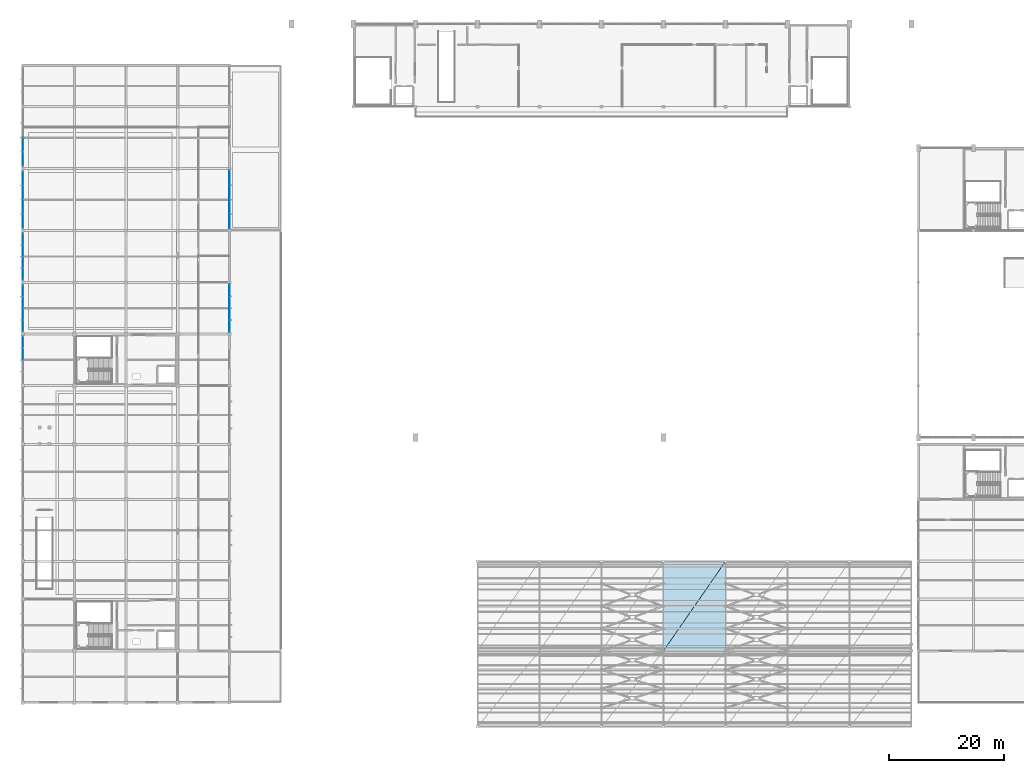
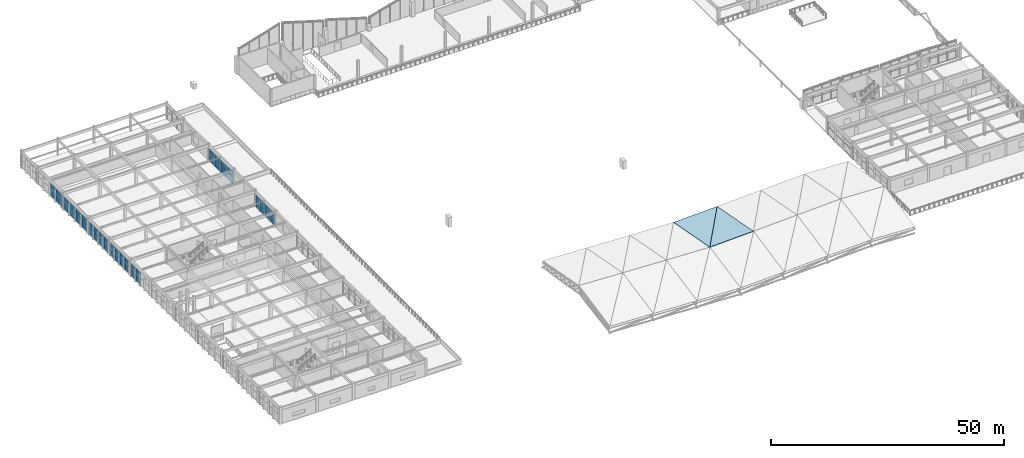
# One storey, part 58 of 89: 48 plates, 2 slabs, 7 elements without a shape of their own.
"""IFC4 building model written with IfcOpenShell, lengths in metres."""

from ifc_helpers import new_model, si_unit, direction, frame, origin, place, context, subcontext, project, spatial, polyline, outline, extrude, material, layer, layer_set, type_object, element, aggregate, save


model = new_model("IFC4")

# Units and contexts
model_context = context("Model", 3, precision=1e-05, world=origin(), true_north=direction((0.0, 1.0)))
body_context = subcontext(model_context, "Body", "Model", "MODEL_VIEW")
ifc_project = project(units=[si_unit("LENGTHUNIT", "METRE"), si_unit("AREAUNIT", "SQUARE_METRE"), si_unit("VOLUMEUNIT", "CUBIC_METRE"), si_unit("PLANEANGLEUNIT", "RADIAN"), si_unit("MASSUNIT", "GRAM", prefix="KILO")], contexts=[model_context])

# Site, building, storey
site_placement = place(None, origin())
site = spatial("IfcSite", under=ifc_project, at=site_placement, CompositionType="ELEMENT")
building_placement = place(site_placement, origin())
building = spatial("IfcBuilding", under=site, at=building_placement, Name="Suirenkawa Promenade Aquatics Centre", CompositionType="ELEMENT")
storey_placement = place(building_placement, frame((0.0, 0.0, 9.60009765625)))
storey = spatial("IfcBuildingStorey", under=building, at=storey_placement, Name="L02", CompositionType="ELEMENT", Elevation=9.60009765625)

# Curtain wall, plates
ifc_material_1 = material(Name="Anodised aluminium 6063-T6", Category="aluminium")
curtain_wall_type_1 = type_object("IfcCurtainWallType", Name="CWAT-V5EL02-61", PredefinedType="NOTDEFINED", material=ifc_material_1)
curtain_wall_1_placement = place(storey_placement, origin())
curtain_wall_1 = element("IfcCurtainWall", 1, at=curtain_wall_1_placement, inside=storey, type_object=curtain_wall_type_1, Name="Curtain wall CWA-61 CW-124", PredefinedType="NOTDEFINED")
ifc_material_2 = material(Name="Low-E thermally broken double glazing", Category="glass")
ifc_layer_1 = layer(ifc_material_2, 0.028076171875, Name="Low-E thermally broken double glazing", Category="glass")
ifc_layer_set_1 = layer_set([ifc_layer_1], Name="Low-E thermally broken double glazing")
plate_type_1 = type_object("IfcPlateType", Name="CWP-LOWE-28", PredefinedType="CURTAIN_PANEL", material=ifc_layer_set_1)
plate_1_placement = place(storey_placement, frame((36.0, 77.051025390625, 0.039794921875), z_axis=(0.0, 0.0, 1.0), x_axis=(0.0, -1.0, 0.0)))
plate_1 = element("IfcPlate", 2, at=plate_1_placement, type_object=plate_type_1, Name="Glazed panel CP-02 CWP-02516", PredefinedType="CURTAIN_PANEL", context=body_context, shape_type="SweptSolid", body=[
    extrude(outline(polyline([(0.0400390625, 0.0), (2.035400390625, 0.0), (2.035400390625, 1.8701171875), (0.0400390625, 1.8701171875), (0.0400390625, 0.0)])), frame((0.0, 0.01416015625, 0.0), z_axis=(0.0, -1.0, 0.0), x_axis=(1.0, 0.0, 0.0)), (0.0, 0.0, 1.0), 0.028076171875),
])
plate_2_placement = place(storey_placement, frame((36.0, 77.051025390625, 1.989990234375), z_axis=(0.0, 0.0, 1.0), x_axis=(0.0, -1.0, 0.0)))
plate_2 = element("IfcPlate", 3, at=plate_2_placement, type_object=plate_type_1, Name="Top glazed panel CP-02 CWP-02517", PredefinedType="CURTAIN_PANEL", context=body_context, shape_type="SweptSolid", body=[
    extrude(outline(polyline([(0.0400390625, 0.0), (2.035400390625, 0.0), (2.035400390625, 1.33984375), (0.0400390625, 1.33984375), (0.0400390625, 0.0)])), frame((0.0, 0.01416015625, 0.0), z_axis=(0.0, -1.0, 0.0), x_axis=(1.0, 0.0, 0.0)), (0.0, 0.0, 1.0), 0.028076171875),
])
plate_3_placement = place(storey_placement, frame((36.0, 74.9755859375, 0.039794921875), z_axis=(0.0, 0.0, 1.0), x_axis=(0.0, -1.0, 0.0)))
plate_3 = element("IfcPlate", 4, at=plate_3_placement, type_object=plate_type_1, Name="Glazed panel CP-02 CWP-02518", PredefinedType="CURTAIN_PANEL", context=body_context, shape_type="SweptSolid", body=[
    extrude(outline(polyline([(0.0400390625, 0.0), (2.035400390625, 0.0), (2.035400390625, 1.8701171875), (0.0400390625, 1.8701171875), (0.0400390625, 0.0)])), frame((0.0, 0.01416015625, 0.0), z_axis=(0.0, -1.0, 0.0), x_axis=(1.0, 0.0, 0.0)), (0.0, 0.0, 1.0), 0.028076171875),
])
plate_4_placement = place(storey_placement, frame((36.0, 74.9755859375, 1.989990234375), z_axis=(0.0, 0.0, 1.0), x_axis=(0.0, -1.0, 0.0)))
plate_4 = element("IfcPlate", 5, at=plate_4_placement, type_object=plate_type_1, Name="Top glazed panel CP-02 CWP-02519", PredefinedType="CURTAIN_PANEL", context=body_context, shape_type="SweptSolid", body=[
    extrude(outline(polyline([(0.0400390625, 0.0), (2.035400390625, 0.0), (2.035400390625, 1.33984375), (0.0400390625, 1.33984375), (0.0400390625, 0.0)])), frame((0.0, 0.01416015625, 0.0), z_axis=(0.0, -1.0, 0.0), x_axis=(1.0, 0.0, 0.0)), (0.0, 0.0, 1.0), 0.028076171875),
])
plate_5_placement = place(storey_placement, frame((36.0, 72.89990234375, 0.039794921875), z_axis=(0.0, 0.0, 1.0), x_axis=(0.0, -1.0, 0.0)))
plate_5 = element("IfcPlate", 6, at=plate_5_placement, type_object=plate_type_1, Name="Glazed panel CP-02 CWP-02520", PredefinedType="CURTAIN_PANEL", context=body_context, shape_type="SweptSolid", body=[
    extrude(outline(polyline([(0.0400390625, 0.0), (2.035400390625, 0.0), (2.035400390625, 1.8701171875), (0.0400390625, 1.8701171875), (0.0400390625, 0.0)])), frame((0.0, 0.01416015625, 0.0), z_axis=(0.0, -1.0, 0.0), x_axis=(1.0, 0.0, 0.0)), (0.0, 0.0, 1.0), 0.028076171875),
])
plate_6_placement = place(storey_placement, frame((36.0, 72.89990234375, 1.989990234375), z_axis=(0.0, 0.0, 1.0), x_axis=(0.0, -1.0, 0.0)))
plate_6 = element("IfcPlate", 7, at=plate_6_placement, type_object=plate_type_1, Name="Top glazed panel CP-02 CWP-02521", PredefinedType="CURTAIN_PANEL", context=body_context, shape_type="SweptSolid", body=[
    extrude(outline(polyline([(0.0400390625, 0.0), (2.035400390625, 0.0), (2.035400390625, 1.33984375), (0.0400390625, 1.33984375), (0.0400390625, 0.0)])), frame((0.0, 0.01416015625, 0.0), z_axis=(0.0, -1.0, 0.0), x_axis=(1.0, 0.0, 0.0)), (0.0, 0.0, 1.0), 0.028076171875),
])
plate_7_placement = place(storey_placement, frame((36.0, 70.824462890625, 0.039794921875), z_axis=(0.0, 0.0, 1.0), x_axis=(0.0, -1.0, 0.0)))
plate_7 = element("IfcPlate", 8, at=plate_7_placement, type_object=plate_type_1, Name="Glazed panel CP-02 CWP-02522", PredefinedType="CURTAIN_PANEL", context=body_context, shape_type="SweptSolid", body=[
    extrude(outline(polyline([(0.0400390625, 0.0), (2.035400390625, 0.0), (2.035400390625, 1.8701171875), (0.0400390625, 1.8701171875), (0.0400390625, 0.0)])), frame((0.0, 0.01416015625, 0.0), z_axis=(0.0, -1.0, 0.0), x_axis=(1.0, 0.0, 0.0)), (0.0, 0.0, 1.0), 0.028076171875),
])
plate_8_placement = place(storey_placement, frame((36.0, 70.824462890625, 1.989990234375), z_axis=(0.0, 0.0, 1.0), x_axis=(0.0, -1.0, 0.0)))
plate_8 = element("IfcPlate", 9, at=plate_8_placement, type_object=plate_type_1, Name="Top glazed panel CP-02 CWP-02523", PredefinedType="CURTAIN_PANEL", context=body_context, shape_type="SweptSolid", body=[
    extrude(outline(polyline([(0.0400390625, 0.0), (2.035400390625, 0.0), (2.035400390625, 1.33984375), (0.0400390625, 1.33984375), (0.0400390625, 0.0)])), frame((0.0, 0.01416015625, 0.0), z_axis=(0.0, -1.0, 0.0), x_axis=(1.0, 0.0, 0.0)), (0.0, 0.0, 1.0), 0.028076171875),
])
aggregate(curtain_wall_1, [plate_1, plate_2, plate_3, plate_4, plate_5, plate_6, plate_7, plate_8])

curtain_wall_type_2 = type_object("IfcCurtainWallType", Name="CWAT-V5EL02-64", PredefinedType="NOTDEFINED", material=ifc_material_1)
curtain_wall_2_placement = place(storey_placement, origin())
curtain_wall_2 = element("IfcCurtainWall", 10, at=curtain_wall_2_placement, inside=storey, type_object=curtain_wall_type_2, Name="Curtain wall CWA-64 CW-127", PredefinedType="NOTDEFINED")
plate_9_placement = place(storey_placement, frame((36.0, 96.85107421875, 0.039794921875), z_axis=(0.0, 0.0, 1.0), x_axis=(0.0, -1.0, 0.0)))
plate_9 = element("IfcPlate", 11, at=plate_9_placement, type_object=plate_type_1, Name="Glazed panel CP-02 CWP-02582", PredefinedType="CURTAIN_PANEL", context=body_context, shape_type="SweptSolid", body=[
    extrude(outline(polyline([(0.0400390625, 0.0), (2.485595703125, 0.0), (2.485595703125, 1.8701171875), (0.0400390625, 1.8701171875), (0.0400390625, 0.0)])), frame((0.0, 0.01416015625, 0.0), z_axis=(0.0, -1.0, 0.0), x_axis=(1.0, 0.0, 0.0)), (0.0, 0.0, 1.0), 0.028076171875),
])
plate_10_placement = place(storey_placement, frame((36.0, 96.85107421875, 1.989990234375), z_axis=(0.0, 0.0, 1.0), x_axis=(0.0, -1.0, 0.0)))
plate_10 = element("IfcPlate", 12, at=plate_10_placement, type_object=plate_type_1, Name="Top glazed panel CP-02 CWP-02583", PredefinedType="CURTAIN_PANEL", context=body_context, shape_type="SweptSolid", body=[
    extrude(outline(polyline([(0.0400390625, 0.0), (2.485595703125, 0.0), (2.485595703125, 1.33984375), (0.0400390625, 1.33984375), (0.0400390625, 0.0)])), frame((0.0, 0.01416015625, 0.0), z_axis=(0.0, -1.0, 0.0), x_axis=(1.0, 0.0, 0.0)), (0.0, 0.0, 1.0), 0.028076171875),
])
plate_11_placement = place(storey_placement, frame((36.0, 94.325439453125, 0.039794921875), z_axis=(0.0, 0.0, 1.0), x_axis=(0.0, -1.0, 0.0)))
plate_11 = element("IfcPlate", 13, at=plate_11_placement, type_object=plate_type_1, Name="Glazed panel CP-02 CWP-02584", PredefinedType="CURTAIN_PANEL", context=body_context, shape_type="SweptSolid", body=[
    extrude(outline(polyline([(0.0400390625, 0.0), (2.485595703125, 0.0), (2.485595703125, 1.8701171875), (0.0400390625, 1.8701171875), (0.0400390625, 0.0)])), frame((0.0, 0.01416015625, 0.0), z_axis=(0.0, -1.0, 0.0), x_axis=(1.0, 0.0, 0.0)), (0.0, 0.0, 1.0), 0.028076171875),
])
plate_12_placement = place(storey_placement, frame((36.0, 94.325439453125, 1.989990234375), z_axis=(0.0, 0.0, 1.0), x_axis=(0.0, -1.0, 0.0)))
plate_12 = element("IfcPlate", 14, at=plate_12_placement, type_object=plate_type_1, Name="Top glazed panel CP-02 CWP-02585", PredefinedType="CURTAIN_PANEL", context=body_context, shape_type="SweptSolid", body=[
    extrude(outline(polyline([(0.0400390625, 0.0), (2.485595703125, 0.0), (2.485595703125, 1.33984375), (0.0400390625, 1.33984375), (0.0400390625, 0.0)])), frame((0.0, 0.01416015625, 0.0), z_axis=(0.0, -1.0, 0.0), x_axis=(1.0, 0.0, 0.0)), (0.0, 0.0, 1.0), 0.028076171875),
])
plate_13_placement = place(storey_placement, frame((36.0, 91.800048828125, 0.039794921875), z_axis=(0.0, 0.0, 1.0), x_axis=(0.0, -1.0, 0.0)))
plate_13 = element("IfcPlate", 15, at=plate_13_placement, type_object=plate_type_1, Name="Glazed panel CP-02 CWP-02586", PredefinedType="CURTAIN_PANEL", context=body_context, shape_type="SweptSolid", body=[
    extrude(outline(polyline([(0.0400390625, 0.0), (2.485595703125, 0.0), (2.485595703125, 1.8701171875), (0.0400390625, 1.8701171875), (0.0400390625, 0.0)])), frame((0.0, 0.01416015625, 0.0), z_axis=(0.0, -1.0, 0.0), x_axis=(1.0, 0.0, 0.0)), (0.0, 0.0, 1.0), 0.028076171875),
])
plate_14_placement = place(storey_placement, frame((36.0, 91.800048828125, 1.989990234375), z_axis=(0.0, 0.0, 1.0), x_axis=(0.0, -1.0, 0.0)))
plate_14 = element("IfcPlate", 16, at=plate_14_placement, type_object=plate_type_1, Name="Top glazed panel CP-02 CWP-02587", PredefinedType="CURTAIN_PANEL", context=body_context, shape_type="SweptSolid", body=[
    extrude(outline(polyline([(0.0400390625, 0.0), (2.485595703125, 0.0), (2.485595703125, 1.33984375), (0.0400390625, 1.33984375), (0.0400390625, 0.0)])), frame((0.0, 0.01416015625, 0.0), z_axis=(0.0, -1.0, 0.0), x_axis=(1.0, 0.0, 0.0)), (0.0, 0.0, 1.0), 0.028076171875),
])
plate_15_placement = place(storey_placement, frame((36.0, 89.2744140625, 0.039794921875), z_axis=(0.0, 0.0, 1.0), x_axis=(0.0, -1.0, 0.0)))
plate_15 = element("IfcPlate", 17, at=plate_15_placement, type_object=plate_type_1, Name="Glazed panel CP-02 CWP-02588", PredefinedType="CURTAIN_PANEL", context=body_context, shape_type="SweptSolid", body=[
    extrude(outline(polyline([(0.0400390625, 0.0), (2.485595703125, 0.0), (2.485595703125, 1.8701171875), (0.0400390625, 1.8701171875), (0.0400390625, 0.0)])), frame((0.0, 0.01416015625, 0.0), z_axis=(0.0, -1.0, 0.0), x_axis=(1.0, 0.0, 0.0)), (0.0, 0.0, 1.0), 0.028076171875),
])
plate_16_placement = place(storey_placement, frame((36.0, 89.2744140625, 1.989990234375), z_axis=(0.0, 0.0, 1.0), x_axis=(0.0, -1.0, 0.0)))
plate_16 = element("IfcPlate", 18, at=plate_16_placement, type_object=plate_type_1, Name="Top glazed panel CP-02 CWP-02589", PredefinedType="CURTAIN_PANEL", context=body_context, shape_type="SweptSolid", body=[
    extrude(outline(polyline([(0.0400390625, 0.0), (2.485595703125, 0.0), (2.485595703125, 1.33984375), (0.0400390625, 1.33984375), (0.0400390625, 0.0)])), frame((0.0, 0.01416015625, 0.0), z_axis=(0.0, -1.0, 0.0), x_axis=(1.0, 0.0, 0.0)), (0.0, 0.0, 1.0), 0.028076171875),
])
aggregate(curtain_wall_2, [plate_9, plate_10, plate_11, plate_12, plate_13, plate_14, plate_15, plate_16])

curtain_wall_type_3 = type_object("IfcCurtainWallType", Name="CWAT-V5WL02-60", PredefinedType="NOTDEFINED", material=ifc_material_1)
curtain_wall_3_placement = place(storey_placement, origin())
curtain_wall_3 = element("IfcCurtainWall", 19, at=curtain_wall_3_placement, inside=storey, type_object=curtain_wall_type_3, Name="Curtain wall CWA-60 CW-122", PredefinedType="NOTDEFINED")
ifc_material_3 = material(Name="Ceramic-fritted low-SHGC double glazing", Category="glass")
ifc_layer_2 = layer(ifc_material_3, 0.035888671875, Name="Ceramic-fritted low-SHGC double glazing", Category="glass")
ifc_layer_set_2 = layer_set([ifc_layer_2], Name="Ceramic-fritted low-SHGC double glazing")
plate_type_2 = type_object("IfcPlateType", Name="CWP-SHOJI-36", PredefinedType="CURTAIN_PANEL", material=ifc_layer_set_2)
plate_17_placement = place(storey_placement, frame((0.0, 63.89990234375, 0.039794921875), z_axis=(0.0, 0.0, 1.0), x_axis=(0.0, 1.0, 0.0)))
plate_17 = element("IfcPlate", 20, at=plate_17_placement, type_object=plate_type_2, Name="Glazed panel CP-01 CWP-02476", PredefinedType="CURTAIN_PANEL", context=body_context, shape_type="SweptSolid", body=[
    extrude(outline(polyline([(0.0400390625, 0.0), (1.985595703125, 0.0), (1.985595703125, 1.8701171875), (0.0400390625, 1.8701171875), (0.0400390625, 0.0)])), frame((0.0, 0.01806640625, 0.0), z_axis=(0.0, -1.0, 0.0), x_axis=(1.0, 0.0, 0.0)), (0.0, 0.0, 1.0), 0.035888671875),
])
plate_18_placement = place(storey_placement, frame((0.0, 63.89990234375, 1.989990234375), z_axis=(0.0, 0.0, 1.0), x_axis=(0.0, 1.0, 0.0)))
plate_18 = element("IfcPlate", 21, at=plate_18_placement, type_object=plate_type_2, Name="Top glazed panel CP-01 CWP-02477", PredefinedType="CURTAIN_PANEL", context=body_context, shape_type="SweptSolid", body=[
    extrude(outline(polyline([(0.0400390625, 0.0), (1.985595703125, 0.0), (1.985595703125, 1.33984375), (0.0400390625, 1.33984375), (0.0400390625, 0.0)])), frame((0.0, 0.01806640625, 0.0), z_axis=(0.0, -1.0, 0.0), x_axis=(1.0, 0.0, 0.0)), (0.0, 0.0, 1.0), 0.035888671875),
])
plate_19_placement = place(storey_placement, frame((0.0, 65.925537109375, 0.039794921875), z_axis=(0.0, 0.0, 1.0), x_axis=(0.0, 1.0, 0.0)))
plate_19 = element("IfcPlate", 22, at=plate_19_placement, type_object=plate_type_2, Name="Glazed panel CP-01 CWP-02478", PredefinedType="CURTAIN_PANEL", context=body_context, shape_type="SweptSolid", body=[
    extrude(outline(polyline([(0.0400390625, 0.0), (1.985595703125, 0.0), (1.985595703125, 1.8701171875), (0.0400390625, 1.8701171875), (0.0400390625, 0.0)])), frame((0.0, 0.01806640625, 0.0), z_axis=(0.0, -1.0, 0.0), x_axis=(1.0, 0.0, 0.0)), (0.0, 0.0, 1.0), 0.035888671875),
])
plate_20_placement = place(storey_placement, frame((0.0, 65.925537109375, 1.989990234375), z_axis=(0.0, 0.0, 1.0), x_axis=(0.0, 1.0, 0.0)))
plate_20 = element("IfcPlate", 23, at=plate_20_placement, type_object=plate_type_2, Name="Top glazed panel CP-01 CWP-02479", PredefinedType="CURTAIN_PANEL", context=body_context, shape_type="SweptSolid", body=[
    extrude(outline(polyline([(0.0400390625, 0.0), (1.985595703125, 0.0), (1.985595703125, 1.33984375), (0.0400390625, 1.33984375), (0.0400390625, 0.0)])), frame((0.0, 0.01806640625, 0.0), z_axis=(0.0, -1.0, 0.0), x_axis=(1.0, 0.0, 0.0)), (0.0, 0.0, 1.0), 0.035888671875),
])
aggregate(curtain_wall_3, [plate_17, plate_18, plate_19, plate_20])

curtain_wall_4_placement = place(storey_placement, origin())
curtain_wall_4 = element("IfcCurtainWall", 24, at=curtain_wall_4_placement, inside=storey, type_object=curtain_wall_type_3, Name="Curtain wall CWA-60 CW-123", PredefinedType="NOTDEFINED")
plate_21_placement = place(storey_placement, frame((0.0, 68.84912109375, 0.039794921875), z_axis=(0.0, 0.0, 1.0), x_axis=(0.0, 1.0, 0.0)))
plate_21 = element("IfcPlate", 25, at=plate_21_placement, type_object=plate_type_2, Name="Glazed panel CP-01 CWP-02494", PredefinedType="CURTAIN_PANEL", context=body_context, shape_type="SweptSolid", body=[
    extrude(outline(polyline([(0.0400390625, 0.0), (1.985595703125, 0.0), (1.985595703125, 1.8701171875), (0.0400390625, 1.8701171875), (0.0400390625, 0.0)])), frame((0.0, 0.01806640625, 0.0), z_axis=(0.0, -1.0, 0.0), x_axis=(1.0, 0.0, 0.0)), (0.0, 0.0, 1.0), 0.035888671875),
])
plate_22_placement = place(storey_placement, frame((0.0, 68.84912109375, 1.989990234375), z_axis=(0.0, 0.0, 1.0), x_axis=(0.0, 1.0, 0.0)))
plate_22 = element("IfcPlate", 26, at=plate_22_placement, type_object=plate_type_2, Name="Top glazed panel CP-01 CWP-02495", PredefinedType="CURTAIN_PANEL", context=body_context, shape_type="SweptSolid", body=[
    extrude(outline(polyline([(0.0400390625, 0.0), (1.985595703125, 0.0), (1.985595703125, 1.33984375), (0.0400390625, 1.33984375), (0.0400390625, 0.0)])), frame((0.0, 0.01806640625, 0.0), z_axis=(0.0, -1.0, 0.0), x_axis=(1.0, 0.0, 0.0)), (0.0, 0.0, 1.0), 0.035888671875),
])
plate_23_placement = place(storey_placement, frame((0.0, 70.87451171875, 0.039794921875), z_axis=(0.0, 0.0, 1.0), x_axis=(0.0, 1.0, 0.0)))
plate_23 = element("IfcPlate", 27, at=plate_23_placement, type_object=plate_type_2, Name="Glazed panel CP-01 CWP-02496", PredefinedType="CURTAIN_PANEL", context=body_context, shape_type="SweptSolid", body=[
    extrude(outline(polyline([(0.0400390625, 0.0), (1.985595703125, 0.0), (1.985595703125, 1.8701171875), (0.0400390625, 1.8701171875), (0.0400390625, 0.0)])), frame((0.0, 0.01806640625, 0.0), z_axis=(0.0, -1.0, 0.0), x_axis=(1.0, 0.0, 0.0)), (0.0, 0.0, 1.0), 0.035888671875),
])
plate_24_placement = place(storey_placement, frame((0.0, 70.87451171875, 1.989990234375), z_axis=(0.0, 0.0, 1.0), x_axis=(0.0, 1.0, 0.0)))
plate_24 = element("IfcPlate", 28, at=plate_24_placement, type_object=plate_type_2, Name="Top glazed panel CP-01 CWP-02497", PredefinedType="CURTAIN_PANEL", context=body_context, shape_type="SweptSolid", body=[
    extrude(outline(polyline([(0.0400390625, 0.0), (1.985595703125, 0.0), (1.985595703125, 1.33984375), (0.0400390625, 1.33984375), (0.0400390625, 0.0)])), frame((0.0, 0.01806640625, 0.0), z_axis=(0.0, -1.0, 0.0), x_axis=(1.0, 0.0, 0.0)), (0.0, 0.0, 1.0), 0.035888671875),
])
plate_25_placement = place(storey_placement, frame((0.0, 72.89990234375, 0.039794921875), z_axis=(0.0, 0.0, 1.0), x_axis=(0.0, 1.0, 0.0)))
plate_25 = element("IfcPlate", 29, at=plate_25_placement, type_object=plate_type_2, Name="Glazed panel CP-01 CWP-02498", PredefinedType="CURTAIN_PANEL", context=body_context, shape_type="SweptSolid", body=[
    extrude(outline(polyline([(0.0400390625, 0.0), (1.985595703125, 0.0), (1.985595703125, 1.8701171875), (0.0400390625, 1.8701171875), (0.0400390625, 0.0)])), frame((0.0, 0.01806640625, 0.0), z_axis=(0.0, -1.0, 0.0), x_axis=(1.0, 0.0, 0.0)), (0.0, 0.0, 1.0), 0.035888671875),
])
plate_26_placement = place(storey_placement, frame((0.0, 72.89990234375, 1.989990234375), z_axis=(0.0, 0.0, 1.0), x_axis=(0.0, 1.0, 0.0)))
plate_26 = element("IfcPlate", 30, at=plate_26_placement, type_object=plate_type_2, Name="Top glazed panel CP-01 CWP-02499", PredefinedType="CURTAIN_PANEL", context=body_context, shape_type="SweptSolid", body=[
    extrude(outline(polyline([(0.0400390625, 0.0), (1.985595703125, 0.0), (1.985595703125, 1.33984375), (0.0400390625, 1.33984375), (0.0400390625, 0.0)])), frame((0.0, 0.01806640625, 0.0), z_axis=(0.0, -1.0, 0.0), x_axis=(1.0, 0.0, 0.0)), (0.0, 0.0, 1.0), 0.035888671875),
])
plate_27_placement = place(storey_placement, frame((0.0, 74.925537109375, 0.039794921875), z_axis=(0.0, 0.0, 1.0), x_axis=(0.0, 1.0, 0.0)))
plate_27 = element("IfcPlate", 31, at=plate_27_placement, type_object=plate_type_2, Name="Glazed panel CP-01 CWP-02500", PredefinedType="CURTAIN_PANEL", context=body_context, shape_type="SweptSolid", body=[
    extrude(outline(polyline([(0.0400390625, 0.0), (1.985595703125, 0.0), (1.985595703125, 1.8701171875), (0.0400390625, 1.8701171875), (0.0400390625, 0.0)])), frame((0.0, 0.01806640625, 0.0), z_axis=(0.0, -1.0, 0.0), x_axis=(1.0, 0.0, 0.0)), (0.0, 0.0, 1.0), 0.035888671875),
])
plate_28_placement = place(storey_placement, frame((0.0, 74.925537109375, 1.989990234375), z_axis=(0.0, 0.0, 1.0), x_axis=(0.0, 1.0, 0.0)))
plate_28 = element("IfcPlate", 32, at=plate_28_placement, type_object=plate_type_2, Name="Top glazed panel CP-01 CWP-02501", PredefinedType="CURTAIN_PANEL", context=body_context, shape_type="SweptSolid", body=[
    extrude(outline(polyline([(0.0400390625, 0.0), (1.985595703125, 0.0), (1.985595703125, 1.33984375), (0.0400390625, 1.33984375), (0.0400390625, 0.0)])), frame((0.0, 0.01806640625, 0.0), z_axis=(0.0, -1.0, 0.0), x_axis=(1.0, 0.0, 0.0)), (0.0, 0.0, 1.0), 0.035888671875),
])
aggregate(curtain_wall_4, [plate_21, plate_22, plate_23, plate_24, plate_25, plate_26, plate_27, plate_28])

curtain_wall_5_placement = place(storey_placement, origin())
curtain_wall_5 = element("IfcCurtainWall", 33, at=curtain_wall_5_placement, inside=storey, type_object=curtain_wall_type_3, Name="Curtain wall CWA-60 CW-125", PredefinedType="NOTDEFINED")
plate_29_placement = place(storey_placement, frame((0.0, 77.84912109375, 0.039794921875), z_axis=(0.0, 0.0, 1.0), x_axis=(0.0, 1.0, 0.0)))
plate_29 = element("IfcPlate", 34, at=plate_29_placement, type_object=plate_type_2, Name="Glazed panel CP-01 CWP-02538", PredefinedType="CURTAIN_PANEL", context=body_context, shape_type="SweptSolid", body=[
    extrude(outline(polyline([(0.0400390625, 0.0), (1.985595703125, 0.0), (1.985595703125, 1.8701171875), (0.0400390625, 1.8701171875), (0.0400390625, 0.0)])), frame((0.0, 0.01806640625, 0.0), z_axis=(0.0, -1.0, 0.0), x_axis=(1.0, 0.0, 0.0)), (0.0, 0.0, 1.0), 0.035888671875),
])
plate_30_placement = place(storey_placement, frame((0.0, 77.84912109375, 1.989990234375), z_axis=(0.0, 0.0, 1.0), x_axis=(0.0, 1.0, 0.0)))
plate_30 = element("IfcPlate", 35, at=plate_30_placement, type_object=plate_type_2, Name="Top glazed panel CP-01 CWP-02539", PredefinedType="CURTAIN_PANEL", context=body_context, shape_type="SweptSolid", body=[
    extrude(outline(polyline([(0.0400390625, 0.0), (1.985595703125, 0.0), (1.985595703125, 1.33984375), (0.0400390625, 1.33984375), (0.0400390625, 0.0)])), frame((0.0, 0.01806640625, 0.0), z_axis=(0.0, -1.0, 0.0), x_axis=(1.0, 0.0, 0.0)), (0.0, 0.0, 1.0), 0.035888671875),
])
plate_31_placement = place(storey_placement, frame((0.0, 79.87451171875, 0.039794921875), z_axis=(0.0, 0.0, 1.0), x_axis=(0.0, 1.0, 0.0)))
plate_31 = element("IfcPlate", 36, at=plate_31_placement, type_object=plate_type_2, Name="Glazed panel CP-01 CWP-02540", PredefinedType="CURTAIN_PANEL", context=body_context, shape_type="SweptSolid", body=[
    extrude(outline(polyline([(0.0400390625, 0.0), (1.985595703125, 0.0), (1.985595703125, 1.8701171875), (0.0400390625, 1.8701171875), (0.0400390625, 0.0)])), frame((0.0, 0.01806640625, 0.0), z_axis=(0.0, -1.0, 0.0), x_axis=(1.0, 0.0, 0.0)), (0.0, 0.0, 1.0), 0.035888671875),
])
plate_32_placement = place(storey_placement, frame((0.0, 79.87451171875, 1.989990234375), z_axis=(0.0, 0.0, 1.0), x_axis=(0.0, 1.0, 0.0)))
plate_32 = element("IfcPlate", 37, at=plate_32_placement, type_object=plate_type_2, Name="Top glazed panel CP-01 CWP-02541", PredefinedType="CURTAIN_PANEL", context=body_context, shape_type="SweptSolid", body=[
    extrude(outline(polyline([(0.0400390625, 0.0), (1.985595703125, 0.0), (1.985595703125, 1.33984375), (0.0400390625, 1.33984375), (0.0400390625, 0.0)])), frame((0.0, 0.01806640625, 0.0), z_axis=(0.0, -1.0, 0.0), x_axis=(1.0, 0.0, 0.0)), (0.0, 0.0, 1.0), 0.035888671875),
])
plate_33_placement = place(storey_placement, frame((0.0, 81.89990234375, 0.039794921875), z_axis=(0.0, 0.0, 1.0), x_axis=(0.0, 1.0, 0.0)))
plate_33 = element("IfcPlate", 38, at=plate_33_placement, type_object=plate_type_2, Name="Glazed panel CP-01 CWP-02542", PredefinedType="CURTAIN_PANEL", context=body_context, shape_type="SweptSolid", body=[
    extrude(outline(polyline([(0.0400390625, 0.0), (1.985595703125, 0.0), (1.985595703125, 1.8701171875), (0.0400390625, 1.8701171875), (0.0400390625, 0.0)])), frame((0.0, 0.01806640625, 0.0), z_axis=(0.0, -1.0, 0.0), x_axis=(1.0, 0.0, 0.0)), (0.0, 0.0, 1.0), 0.035888671875),
])
plate_34_placement = place(storey_placement, frame((0.0, 81.89990234375, 1.989990234375), z_axis=(0.0, 0.0, 1.0), x_axis=(0.0, 1.0, 0.0)))
plate_34 = element("IfcPlate", 39, at=plate_34_placement, type_object=plate_type_2, Name="Top glazed panel CP-01 CWP-02543", PredefinedType="CURTAIN_PANEL", context=body_context, shape_type="SweptSolid", body=[
    extrude(outline(polyline([(0.0400390625, 0.0), (1.985595703125, 0.0), (1.985595703125, 1.33984375), (0.0400390625, 1.33984375), (0.0400390625, 0.0)])), frame((0.0, 0.01806640625, 0.0), z_axis=(0.0, -1.0, 0.0), x_axis=(1.0, 0.0, 0.0)), (0.0, 0.0, 1.0), 0.035888671875),
])
plate_35_placement = place(storey_placement, frame((0.0, 83.925537109375, 0.039794921875), z_axis=(0.0, 0.0, 1.0), x_axis=(0.0, 1.0, 0.0)))
plate_35 = element("IfcPlate", 40, at=plate_35_placement, type_object=plate_type_2, Name="Glazed panel CP-01 CWP-02544", PredefinedType="CURTAIN_PANEL", context=body_context, shape_type="SweptSolid", body=[
    extrude(outline(polyline([(0.0400390625, 0.0), (1.985595703125, 0.0), (1.985595703125, 1.8701171875), (0.0400390625, 1.8701171875), (0.0400390625, 0.0)])), frame((0.0, 0.01806640625, 0.0), z_axis=(0.0, -1.0, 0.0), x_axis=(1.0, 0.0, 0.0)), (0.0, 0.0, 1.0), 0.035888671875),
])
plate_36_placement = place(storey_placement, frame((0.0, 83.925537109375, 1.989990234375), z_axis=(0.0, 0.0, 1.0), x_axis=(0.0, 1.0, 0.0)))
plate_36 = element("IfcPlate", 41, at=plate_36_placement, type_object=plate_type_2, Name="Top glazed panel CP-01 CWP-02545", PredefinedType="CURTAIN_PANEL", context=body_context, shape_type="SweptSolid", body=[
    extrude(outline(polyline([(0.0400390625, 0.0), (1.985595703125, 0.0), (1.985595703125, 1.33984375), (0.0400390625, 1.33984375), (0.0400390625, 0.0)])), frame((0.0, 0.01806640625, 0.0), z_axis=(0.0, -1.0, 0.0), x_axis=(1.0, 0.0, 0.0)), (0.0, 0.0, 1.0), 0.035888671875),
])
aggregate(curtain_wall_5, [plate_29, plate_30, plate_31, plate_32, plate_33, plate_34, plate_35, plate_36])

curtain_wall_type_4 = type_object("IfcCurtainWallType", Name="CWAT-V5WL02-63", PredefinedType="NOTDEFINED", material=ifc_material_1)
curtain_wall_6_placement = place(storey_placement, origin())
curtain_wall_6 = element("IfcCurtainWall", 42, at=curtain_wall_6_placement, inside=storey, type_object=curtain_wall_type_4, Name="Curtain wall CWA-63 CW-126", PredefinedType="NOTDEFINED")
plate_37_placement = place(storey_placement, frame((0.0, 86.84912109375, 0.039794921875), z_axis=(0.0, 0.0, 1.0), x_axis=(0.0, 1.0, 0.0)))
plate_37 = element("IfcPlate", 43, at=plate_37_placement, type_object=plate_type_2, Name="Glazed panel CP-01 CWP-02560", PredefinedType="CURTAIN_PANEL", context=body_context, shape_type="SweptSolid", body=[
    extrude(outline(polyline([(0.0400390625, 0.0), (2.435546875, 0.0), (2.435546875, 1.8701171875), (0.0400390625, 1.8701171875), (0.0400390625, 0.0)])), frame((0.0, 0.01806640625, 0.0), z_axis=(0.0, -1.0, 0.0), x_axis=(1.0, 0.0, 0.0)), (0.0, 0.0, 1.0), 0.035888671875),
])
plate_38_placement = place(storey_placement, frame((0.0, 86.84912109375, 1.989990234375), z_axis=(0.0, 0.0, 1.0), x_axis=(0.0, 1.0, 0.0)))
plate_38 = element("IfcPlate", 44, at=plate_38_placement, type_object=plate_type_2, Name="Top glazed panel CP-01 CWP-02561", PredefinedType="CURTAIN_PANEL", context=body_context, shape_type="SweptSolid", body=[
    extrude(outline(polyline([(0.0400390625, 0.0), (2.435546875, 0.0), (2.435546875, 1.33984375), (0.0400390625, 1.33984375), (0.0400390625, 0.0)])), frame((0.0, 0.01806640625, 0.0), z_axis=(0.0, -1.0, 0.0), x_axis=(1.0, 0.0, 0.0)), (0.0, 0.0, 1.0), 0.035888671875),
])
plate_39_placement = place(storey_placement, frame((0.0, 89.324462890625, 0.039794921875), z_axis=(0.0, 0.0, 1.0), x_axis=(0.0, 1.0, 0.0)))
plate_39 = element("IfcPlate", 45, at=plate_39_placement, type_object=plate_type_2, Name="Glazed panel CP-01 CWP-02562", PredefinedType="CURTAIN_PANEL", context=body_context, shape_type="SweptSolid", body=[
    extrude(outline(polyline([(0.0400390625, 0.0), (2.435546875, 0.0), (2.435546875, 1.8701171875), (0.0400390625, 1.8701171875), (0.0400390625, 0.0)])), frame((0.0, 0.01806640625, 0.0), z_axis=(0.0, -1.0, 0.0), x_axis=(1.0, 0.0, 0.0)), (0.0, 0.0, 1.0), 0.035888671875),
])
plate_40_placement = place(storey_placement, frame((0.0, 89.324462890625, 1.989990234375), z_axis=(0.0, 0.0, 1.0), x_axis=(0.0, 1.0, 0.0)))
plate_40 = element("IfcPlate", 46, at=plate_40_placement, type_object=plate_type_2, Name="Top glazed panel CP-01 CWP-02563", PredefinedType="CURTAIN_PANEL", context=body_context, shape_type="SweptSolid", body=[
    extrude(outline(polyline([(0.0400390625, 0.0), (2.435546875, 0.0), (2.435546875, 1.33984375), (0.0400390625, 1.33984375), (0.0400390625, 0.0)])), frame((0.0, 0.01806640625, 0.0), z_axis=(0.0, -1.0, 0.0), x_axis=(1.0, 0.0, 0.0)), (0.0, 0.0, 1.0), 0.035888671875),
])
plate_41_placement = place(storey_placement, frame((0.0, 91.800048828125, 0.039794921875), z_axis=(0.0, 0.0, 1.0), x_axis=(0.0, 1.0, 0.0)))
plate_41 = element("IfcPlate", 47, at=plate_41_placement, type_object=plate_type_2, Name="Glazed panel CP-01 CWP-02564", PredefinedType="CURTAIN_PANEL", context=body_context, shape_type="SweptSolid", body=[
    extrude(outline(polyline([(0.0400390625, 0.0), (2.435546875, 0.0), (2.435546875, 1.8701171875), (0.0400390625, 1.8701171875), (0.0400390625, 0.0)])), frame((0.0, 0.01806640625, 0.0), z_axis=(0.0, -1.0, 0.0), x_axis=(1.0, 0.0, 0.0)), (0.0, 0.0, 1.0), 0.035888671875),
])
plate_42_placement = place(storey_placement, frame((0.0, 91.800048828125, 1.989990234375), z_axis=(0.0, 0.0, 1.0), x_axis=(0.0, 1.0, 0.0)))
plate_42 = element("IfcPlate", 48, at=plate_42_placement, type_object=plate_type_2, Name="Top glazed panel CP-01 CWP-02565", PredefinedType="CURTAIN_PANEL", context=body_context, shape_type="SweptSolid", body=[
    extrude(outline(polyline([(0.0400390625, 0.0), (2.435546875, 0.0), (2.435546875, 1.33984375), (0.0400390625, 1.33984375), (0.0400390625, 0.0)])), frame((0.0, 0.01806640625, 0.0), z_axis=(0.0, -1.0, 0.0), x_axis=(1.0, 0.0, 0.0)), (0.0, 0.0, 1.0), 0.035888671875),
])
plate_43_placement = place(storey_placement, frame((0.0, 94.275390625, 0.039794921875), z_axis=(0.0, 0.0, 1.0), x_axis=(0.0, 1.0, 0.0)))
plate_43 = element("IfcPlate", 49, at=plate_43_placement, type_object=plate_type_2, Name="Glazed panel CP-01 CWP-02566", PredefinedType="CURTAIN_PANEL", context=body_context, shape_type="SweptSolid", body=[
    extrude(outline(polyline([(0.0400390625, 0.0), (2.435546875, 0.0), (2.435546875, 1.8701171875), (0.0400390625, 1.8701171875), (0.0400390625, 0.0)])), frame((0.0, 0.01806640625, 0.0), z_axis=(0.0, -1.0, 0.0), x_axis=(1.0, 0.0, 0.0)), (0.0, 0.0, 1.0), 0.035888671875),
])
plate_44_placement = place(storey_placement, frame((0.0, 94.275390625, 1.989990234375), z_axis=(0.0, 0.0, 1.0), x_axis=(0.0, 1.0, 0.0)))
plate_44 = element("IfcPlate", 50, at=plate_44_placement, type_object=plate_type_2, Name="Top glazed panel CP-01 CWP-02567", PredefinedType="CURTAIN_PANEL", context=body_context, shape_type="SweptSolid", body=[
    extrude(outline(polyline([(0.0400390625, 0.0), (2.435546875, 0.0), (2.435546875, 1.33984375), (0.0400390625, 1.33984375), (0.0400390625, 0.0)])), frame((0.0, 0.01806640625, 0.0), z_axis=(0.0, -1.0, 0.0), x_axis=(1.0, 0.0, 0.0)), (0.0, 0.0, 1.0), 0.035888671875),
])
aggregate(curtain_wall_6, [plate_37, plate_38, plate_39, plate_40, plate_41, plate_42, plate_43, plate_44])

curtain_wall_type_5 = type_object("IfcCurtainWallType", Name="CWAT-V5WL02-68", PredefinedType="NOTDEFINED", material=ifc_material_1)
curtain_wall_7_placement = place(storey_placement, origin())
curtain_wall_7 = element("IfcCurtainWall", 51, at=curtain_wall_7_placement, inside=storey, type_object=curtain_wall_type_5, Name="Curtain wall CWA-68 CW-128", PredefinedType="NOTDEFINED")
plate_45_placement = place(storey_placement, frame((0.0, 97.64892578125, 0.039794921875), z_axis=(0.0, 0.0, 1.0), x_axis=(0.0, 1.0, 0.0)))
plate_45 = element("IfcPlate", 52, at=plate_45_placement, type_object=plate_type_2, Name="Glazed panel CP-01 CWP-02604", PredefinedType="CURTAIN_PANEL", context=body_context, shape_type="SweptSolid", body=[
    extrude(outline(polyline([(0.0400390625, 0.0), (2.46044921875, 0.0), (2.46044921875, 1.8701171875), (0.0400390625, 1.8701171875), (0.0400390625, 0.0)])), frame((0.0, 0.01806640625, 0.0), z_axis=(0.0, -1.0, 0.0), x_axis=(1.0, 0.0, 0.0)), (0.0, 0.0, 1.0), 0.035888671875),
])
plate_46_placement = place(storey_placement, frame((0.0, 97.64892578125, 1.989990234375), z_axis=(0.0, 0.0, 1.0), x_axis=(0.0, 1.0, 0.0)))
plate_46 = element("IfcPlate", 53, at=plate_46_placement, type_object=plate_type_2, Name="Top glazed panel CP-01 CWP-02605", PredefinedType="CURTAIN_PANEL", context=body_context, shape_type="SweptSolid", body=[
    extrude(outline(polyline([(0.0400390625, 0.0), (2.46044921875, 0.0), (2.46044921875, 1.33984375), (0.0400390625, 1.33984375), (0.0400390625, 0.0)])), frame((0.0, 0.01806640625, 0.0), z_axis=(0.0, -1.0, 0.0), x_axis=(1.0, 0.0, 0.0)), (0.0, 0.0, 1.0), 0.035888671875),
])
plate_47_placement = place(storey_placement, frame((0.0, 100.1494140625, 0.039794921875), z_axis=(0.0, 0.0, 1.0), x_axis=(0.0, 1.0, 0.0)))
plate_47 = element("IfcPlate", 54, at=plate_47_placement, type_object=plate_type_2, Name="Glazed panel CP-01 CWP-02606", PredefinedType="CURTAIN_PANEL", context=body_context, shape_type="SweptSolid", body=[
    extrude(outline(polyline([(0.0400390625, 0.0), (2.46044921875, 0.0), (2.46044921875, 1.8701171875), (0.0400390625, 1.8701171875), (0.0400390625, 0.0)])), frame((0.0, 0.01806640625, 0.0), z_axis=(0.0, -1.0, 0.0), x_axis=(1.0, 0.0, 0.0)), (0.0, 0.0, 1.0), 0.035888671875),
])
plate_48_placement = place(storey_placement, frame((0.0, 100.1494140625, 1.989990234375), z_axis=(0.0, 0.0, 1.0), x_axis=(0.0, 1.0, 0.0)))
plate_48 = element("IfcPlate", 55, at=plate_48_placement, type_object=plate_type_2, Name="Top glazed panel CP-01 CWP-02607", PredefinedType="CURTAIN_PANEL", context=body_context, shape_type="SweptSolid", body=[
    extrude(outline(polyline([(0.0400390625, 0.0), (2.46044921875, 0.0), (2.46044921875, 1.33984375), (0.0400390625, 1.33984375), (0.0400390625, 0.0)])), frame((0.0, 0.01806640625, 0.0), z_axis=(0.0, -1.0, 0.0), x_axis=(1.0, 0.0, 0.0)), (0.0, 0.0, 1.0), 0.035888671875),
])
aggregate(curtain_wall_7, [plate_45, plate_46, plate_47, plate_48])

# Slabs
ifc_material_4 = material(Name="Concrete M35", Category="concrete")
ifc_layer_3 = layer(ifc_material_4, 0.199951171875, Name="Concrete M35", Category="concrete")
ifc_layer_set_3 = layer_set([ifc_layer_3], Name="Concrete M35")
slab_type = type_object("IfcSlabType", Name="SLT-ROOF-V3-200", PredefinedType="ROOF", material=ifc_layer_set_3)
slab_1_placement = place(storey_placement, frame((111.60009765625, 13.221923828125, 1.699951171875), z_axis=(-0.036358040455, 0.185935391988, 0.981889058346), x_axis=(0.999315143191, 0.0, 0.037003305103)))
element("IfcSlab", 56, at=slab_1_placement, inside=storey, type_object=slab_type, Name="Folded roof facet SL-ROOF-03 SL-V3-RFN-04-1", PredefinedType="ROOF", context=body_context, shape_type="SweptSolid", body=[
    extrude(outline(polyline([(0.0, 0.0), (10.807206076164354, 0.0), (10.698048132911776, 15.854597912766398), (0.0, 0.0)])), origin(), (0.0, 0.0, -1.0), 0.199951171875),
])
slab_2_placement = place(storey_placement, frame((111.60009765625, 13.221923828125, 1.699951171875), z_axis=(-0.036358040455, 0.185935391988, 0.981889058346), x_axis=(0.564656394947, 0.814485831648, -0.133326612832)))
element("IfcSlab", 57, at=slab_2_placement, inside=storey, type_object=slab_type, Name="Folded roof facet SL-ROOF-03 SL-V3-RFN-04-2", PredefinedType="ROOF", context=body_context, shape_type="SweptSolid", body=[
    extrude(outline(polyline([(0.0, 0.0), (19.126330249935393, -4.440892098500626e-16), (13.081469093912354, 8.95853541473647), (0.0, 0.0)])), origin(), (0.0, 0.0, -1.0), 0.199951171875),
])

save(model, "model.ifc")
